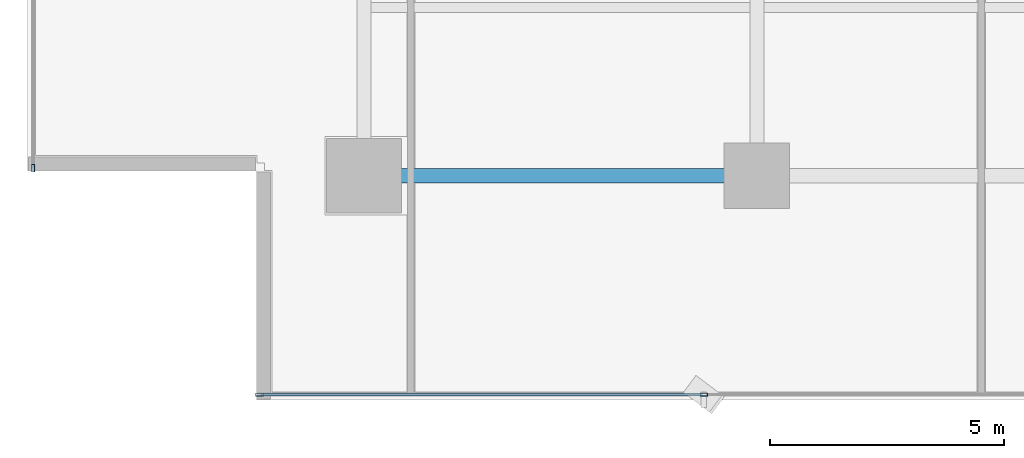
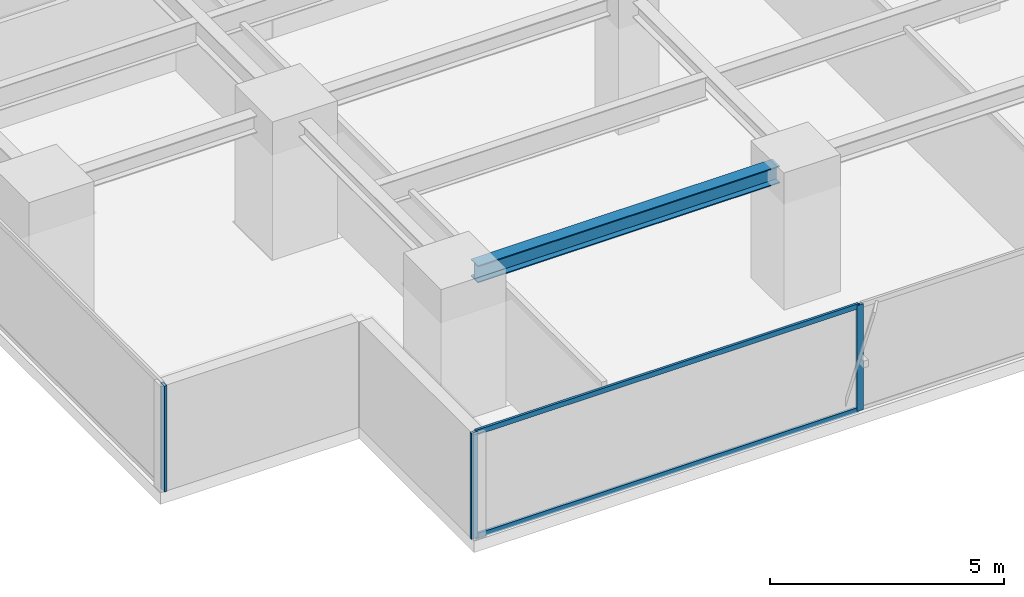
# One storey, part 2 of 29: 5 members, 1 beam, 2 elements without a shape of their own.
"""IFC4 building model written with IfcOpenShell, lengths in metres."""

from ifc_helpers import new_model, si_unit, direction, frame, origin, origin_2d, place, context, subcontext, project, spatial, hollow_rectangle, i_section, extrude, source, transform, mapped, material, layer, layer_set, material_profile, profile_set, type_object, element, aggregate, save


model = new_model("IFC4")

# Units and contexts
model_context = context("Model", 3, precision=1e-05, world=origin(), true_north=direction((0.0, 1.0)))
body_context = subcontext(model_context, "Body", "Model", "MODEL_VIEW")
ifc_project = project(units=[si_unit("LENGTHUNIT", "METRE"), si_unit("AREAUNIT", "SQUARE_METRE"), si_unit("VOLUMEUNIT", "CUBIC_METRE"), si_unit("PLANEANGLEUNIT", "RADIAN"), si_unit("MASSUNIT", "GRAM", prefix="KILO")], contexts=[model_context])

# Site, building, storey
site_placement = place(None, origin())
site = spatial("IfcSite", under=ifc_project, at=site_placement, CompositionType="ELEMENT")
building_placement = place(site_placement, origin())
building = spatial("IfcBuilding", under=site, at=building_placement, Name="Sumidabori Civic Tower", CompositionType="ELEMENT")
storey_placement = place(building_placement, frame((0.0, 0.0, 131.60009765625)))
storey = spatial("IfcBuildingStorey", under=building, at=storey_placement, Name="L33", CompositionType="ELEMENT", Elevation=131.60009765625)

# Beam
ifc_material_1 = material(Name="Steel SN490", Category="steel")
ifc_material_profile_1 = material_profile(ifc_material_1, i_section(OverallWidth=0.300048828125, OverallDepth=0.449951171875, WebThickness=0.013916015625, FlangeThickness=0.02587890625, at=origin_2d()), Name="HE 450 B")
ifc_profile_set_1 = profile_set([ifc_material_profile_1], Name="Steel SN490")
beam_type = type_object("IfcBeamType", Name="BM-GIRD-450", PredefinedType="BEAM", material=ifc_profile_set_1)
shared_shape_1 = source(origin(), body_context, "Body", "SweptSolid", [
    extrude(i_section(OverallWidth=0.300048828125, OverallDepth=0.449951171875, WebThickness=0.013916015625, FlangeThickness=0.02587890625, at=origin_2d()), origin(), (0.0, 0.0, 1.0), 7.440185546875),
])
beam_placement = place(storey_placement, frame((-16.320068359375, -18.0, 3.15478515625), z_axis=(1.0, 0.0, 0.0), x_axis=(0.0, 1.0, 0.0)))
element("IfcBeam", 1, at=beam_placement, inside=storey, type_object=beam_type, Name="Primary Girder L33 GX-01", PredefinedType="BEAM", context=body_context, shape_type="MappedRepresentation", body=[
    mapped(shared_shape_1, transform((0.0, 0.0, 0.0), x_axis=(1.0, 0.0, 0.0), y_axis=(0.0, 1.0, 0.0), z_axis=(0.0, 0.0, 1.0), scale=1.0)),
])

# Curtain wall, members
ifc_material_2 = material(Name="Anodised Bronze Aluminium AW-6063-T6", Category="aluminium")
ifc_layer = layer(ifc_material_2, 0.179931640625, Name="Anodised Bronze Aluminium AW-6063-T6")
ifc_layer_set = layer_set([ifc_layer], Name="Anodised Bronze Aluminium AW-6063-T6")
curtain_wall_type = type_object("IfcCurtainWallType", Name="CW-SYS-3", PredefinedType="NOTDEFINED", material=ifc_layer_set)
curtain_wall_1_placement = place(storey_placement, origin())
curtain_wall_1 = element("IfcCurtainWall", 2, at=curtain_wall_1_placement, inside=storey, type_object=curtain_wall_type, Name="Curtain Wall CW:L33:R01", PredefinedType="NOTDEFINED")
ifc_material_profile_2 = material_profile(ifc_material_2, hollow_rectangle(XDim=0.06494140625, YDim=0.159912109375, WallThickness=0.0048828125, at=origin_2d()), Name="ALU MULLION 160x65")
ifc_profile_set_2 = profile_set([ifc_material_profile_2], Name="Anodised Bronze Aluminium AW-6063-T6")
member_type_1 = type_object("IfcMemberType", Name="CW-MUL-160", PredefinedType="MULLION", material=ifc_profile_set_2)
shared_shape_2 = source(origin(), body_context, "Body", "SweptSolid", [
    extrude(hollow_rectangle(XDim=0.06494140625, YDim=0.159912109375, WallThickness=0.0048828125, at=origin_2d()), origin(), (0.0, 0.0, 1.0), 2.760009765625),
])
member_1_placement = place(storey_placement, frame((-19.03759765625, -22.679931640625, 0.0), z_axis=(0.0, 0.0, 1.0), x_axis=(0.0, 1.0, 0.0)))
member_1 = element("IfcMember", 3, at=member_1_placement, type_object=member_type_1, Name="CW-3 mullion 1", PredefinedType="MULLION", context=body_context, shape_type="MappedRepresentation", body=[
    mapped(shared_shape_2, transform((0.0, 0.0, 0.0), x_axis=(1.0, 0.0, 0.0), y_axis=(0.0, 1.0, 0.0), z_axis=(0.0, 0.0, 1.0), scale=1.0)),
])
member_2_placement = place(storey_placement, frame((-9.534912109375, -22.679931640625, 0.0), z_axis=(0.0, 0.0, 1.0), x_axis=(0.0, 1.0, 0.0)))
member_2 = element("IfcMember", 4, at=member_2_placement, type_object=member_type_1, Name="CW-3 mullion 2", PredefinedType="MULLION", context=body_context, shape_type="MappedRepresentation", body=[
    mapped(shared_shape_2, transform((0.0, 0.0, 0.0), x_axis=(1.0, 0.0, 0.0), y_axis=(0.0, 1.0, 0.0), z_axis=(0.0, 0.0, 1.0), scale=1.0)),
])

# Curtain wall, member
curtain_wall_2_placement = place(storey_placement, origin())
curtain_wall_2 = element("IfcCurtainWall", 5, at=curtain_wall_2_placement, inside=storey, type_object=curtain_wall_type, Name="Curtain Wall CW:L33:R10", PredefinedType="NOTDEFINED")
member_3_placement = place(storey_placement, frame((-23.8798828125, -17.83740234375, 0.0), z_axis=(0.0, 0.0, 1.0), x_axis=(1.0, 0.0, 0.0)))
member_3 = element("IfcMember", 6, at=member_3_placement, type_object=member_type_1, Name="CW-3 mullion 5", PredefinedType="MULLION", context=body_context, shape_type="MappedRepresentation", body=[
    mapped(shared_shape_2, transform((0.0, 0.0, 0.0), x_axis=(1.0, 0.0, 0.0), y_axis=(0.0, 1.0, 0.0), z_axis=(0.0, 0.0, 1.0), scale=1.0)),
])
aggregate(curtain_wall_2, [member_3])

# Member
ifc_material_profile_3 = material_profile(ifc_material_2, hollow_rectangle(XDim=0.06005859375, YDim=0.1298828125, WallThickness=0.0048828125, at=origin_2d()), Name="ALU TRANSOM 130x60")
ifc_profile_set_3 = profile_set([ifc_material_profile_3], Name="Anodised Bronze Aluminium AW-6063-T6")
member_type_2 = type_object("IfcMemberType", Name="CW-TRN-130", PredefinedType="USERDEFINED", material=ifc_profile_set_3)
shared_shape_3 = source(origin(), body_context, "Body", "SweptSolid", [
    extrude(hollow_rectangle(XDim=0.06005859375, YDim=0.1298828125, WallThickness=0.0048828125, at=origin_2d()), origin(), (0.0, 0.0, 1.0), 9.4375),
])
member_4_placement = place(storey_placement, frame((-19.0048828125, -22.679931640625, 0.02978515625), z_axis=(1.0, 0.0, 0.0), x_axis=(0.0, 1.0, 0.0)))
member_4 = element("IfcMember", 7, at=member_4_placement, type_object=member_type_2, Name="CW-3 transom 1.1", ObjectType="TRANSOM", PredefinedType="USERDEFINED", context=body_context, shape_type="MappedRepresentation", body=[
    mapped(shared_shape_3, transform((0.0, 0.0, 0.0), x_axis=(1.0, 0.0, 0.0), y_axis=(0.0, 1.0, 0.0), z_axis=(0.0, 0.0, 1.0), scale=1.0)),
])

member_5_placement = place(storey_placement, frame((-19.0048828125, -22.679931640625, 2.72998046875), z_axis=(1.0, 0.0, 0.0), x_axis=(0.0, 1.0, 0.0)))
member_5 = element("IfcMember", 8, at=member_5_placement, type_object=member_type_2, Name="CW-3 transom 1.2", ObjectType="TRANSOM", PredefinedType="USERDEFINED", context=body_context, shape_type="MappedRepresentation", body=[
    mapped(shared_shape_3, transform((0.0, 0.0, 0.0), x_axis=(1.0, 0.0, 0.0), y_axis=(0.0, 1.0, 0.0), z_axis=(0.0, 0.0, 1.0), scale=1.0)),
])

aggregate(curtain_wall_1, [member_1, member_2, member_4, member_5])

save(model, "model.ifc")
